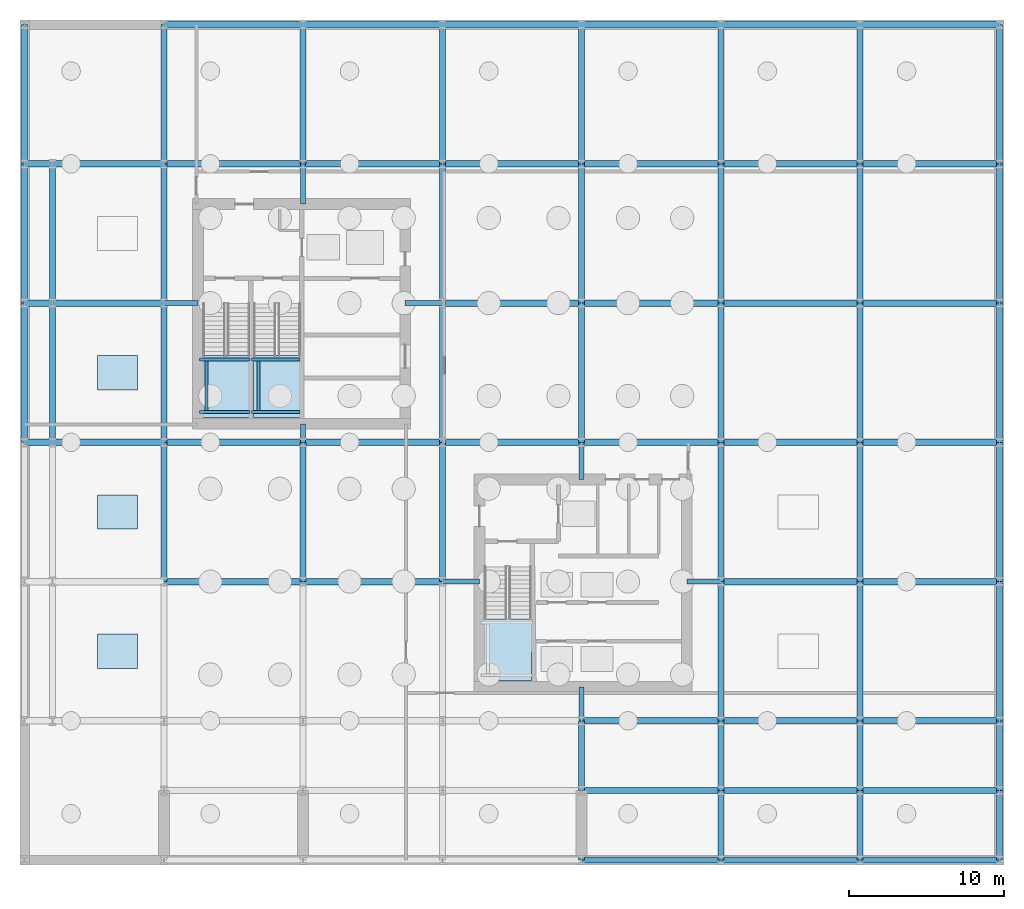
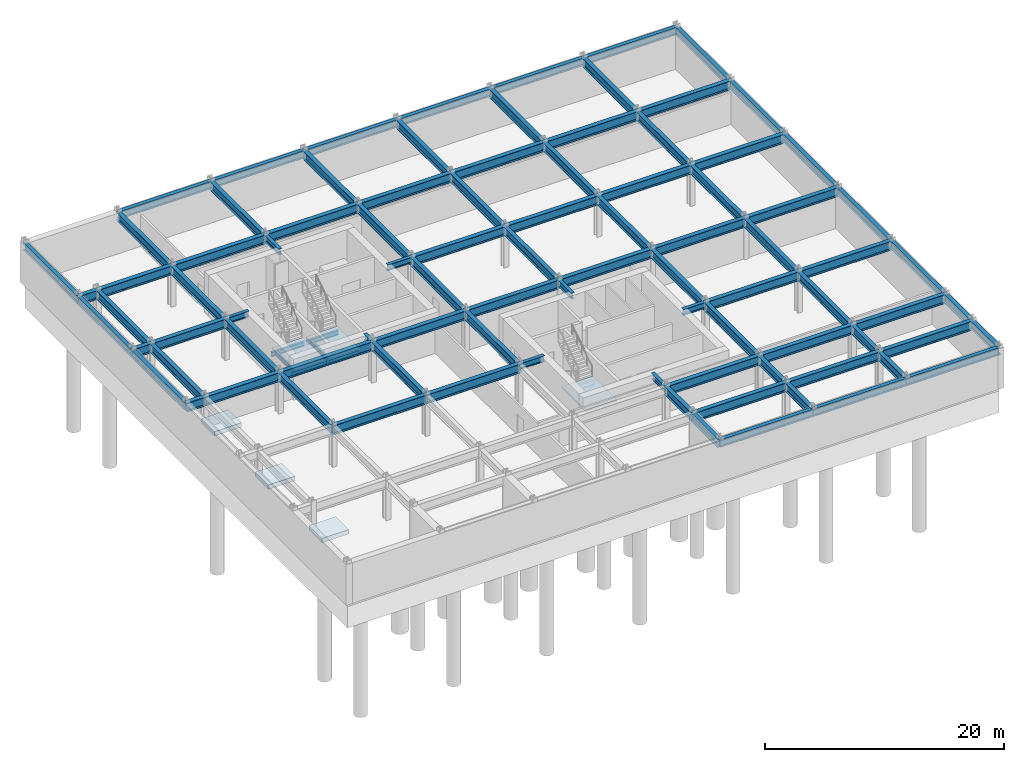
# One storey, part 2 of 7: 96 beams, 6 slabs, 3 elements without a shape of their own.
"""IFC4 building model written with IfcOpenShell, lengths in metres."""

from ifc_helpers import new_model, si_unit, direction, frame, origin, origin_2d, place, context, subcontext, project, spatial, polyline, i_section, outline, extrude, material, layer, layer_set, material_profile, profile_set, type_object, element, aggregate, save


model = new_model("IFC4")

# Units and contexts
model_context = context("Model", 3, precision=1e-05, world=origin(), true_north=direction((0.0, 1.0)))
body_context = subcontext(model_context, "Body", "Model", "MODEL_VIEW")
ifc_project = project(units=[si_unit("LENGTHUNIT", "METRE"), si_unit("AREAUNIT", "SQUARE_METRE"), si_unit("VOLUMEUNIT", "CUBIC_METRE"), si_unit("PLANEANGLEUNIT", "RADIAN"), si_unit("MASSUNIT", "GRAM", prefix="KILO")], contexts=[model_context])

# Site, building, storey
site_placement = place(None, origin())
site = spatial("IfcSite", under=ifc_project, at=site_placement, CompositionType="ELEMENT")
building_placement = place(site_placement, origin())
building = spatial("IfcBuilding", under=site, at=building_placement, Name="Solvaryn Broadcast Tower", CompositionType="ELEMENT")
storey_placement = place(building_placement, frame((0.0, 0.0, -9.0)))
storey = spatial("IfcBuildingStorey", under=building, at=storey_placement, Name="B02", CompositionType="ELEMENT", Elevation=-9.0)

# Beams
ifc_material_1 = material(Name="Steel ASTM A992 Grade 50", Category="steel")
ifc_material_profile_1 = material_profile(ifc_material_1, i_section(OverallWidth=0.323974609375, OverallDepth=0.611083984375, WebThickness=0.0126953125, FlangeThickness=0.01904296875, FilletRadius=0.014892578125, at=origin_2d()))
ifc_profile_set_1 = profile_set([ifc_material_profile_1], Name="Steel ASTM A992 Grade 50")
beam_type_1 = type_object("IfcBeamType", Name="BM-B1-W24X104", PredefinedType="BEAM", material=ifc_profile_set_1)
beam_1_placement = place(storey_placement, frame((9.0, 36.0, 3.844482421875), z_axis=(1.0, 0.0, 0.0), x_axis=(0.0, 1.0, 0.0)))
element("IfcBeam", 1, at=beam_1_placement, inside=storey, type_object=beam_type_1, Name="B02 Core Tie Beam CTW1", PredefinedType="BEAM", context=body_context, shape_type="SweptSolid", body=[
    extrude(i_section(OverallWidth=0.323974609375, OverallDepth=0.611083984375, WebThickness=0.0126953125, FlangeThickness=0.01904296875, FilletRadius=0.014892578125, at=origin_2d()), origin(), (0.0, 0.0, 1.0), 2.199951171875),
])
beam_2_placement = place(storey_placement, frame((24.60009765625, 36.0, 3.844482421875), z_axis=(1.0, 0.0, 0.0), x_axis=(0.0, 1.0, 0.0)))
element("IfcBeam", 2, at=beam_2_placement, inside=storey, type_object=beam_type_1, Name="B02 Core Tie Beam CTW2", PredefinedType="BEAM", context=body_context, shape_type="SweptSolid", body=[
    extrude(i_section(OverallWidth=0.323974609375, OverallDepth=0.611083984375, WebThickness=0.0126953125, FlangeThickness=0.01904296875, FilletRadius=0.014892578125, at=origin_2d()), origin(), (0.0, 0.0, 1.0), 2.39990234375),
])
beam_3_placement = place(storey_placement, frame((18.0, 42.39990234375, 3.844482421875), z_axis=(0.0, 1.0, 0.0), x_axis=(-1.0, 0.0, 0.0)))
element("IfcBeam", 3, at=beam_3_placement, inside=storey, type_object=beam_type_1, Name="B02 Core Tie Beam CTW3", PredefinedType="BEAM", context=body_context, shape_type="SweptSolid", body=[
    extrude(i_section(OverallWidth=0.323974609375, OverallDepth=0.611083984375, WebThickness=0.0126953125, FlangeThickness=0.01904296875, FilletRadius=0.014892578125, at=origin_2d()), origin(), (0.0, 0.0, 1.0), 2.60009765625),
])
beam_4_placement = place(storey_placement, frame((36.0, 9.0, 3.844482421875), z_axis=(0.0, 1.0, 0.0), x_axis=(-1.0, 0.0, 0.0)))
element("IfcBeam", 4, at=beam_4_placement, inside=storey, type_object=beam_type_1, Name="B02 Core Tie Beam CTE1", PredefinedType="BEAM", context=body_context, shape_type="SweptSolid", body=[
    extrude(i_section(OverallWidth=0.323974609375, OverallDepth=0.611083984375, WebThickness=0.0126953125, FlangeThickness=0.01904296875, FilletRadius=0.014892578125, at=origin_2d()), origin(), (0.0, 0.0, 1.0), 2.199951171875),
])
beam_5_placement = place(storey_placement, frame((36.0, 24.60009765625, 3.844482421875), z_axis=(0.0, 1.0, 0.0), x_axis=(-1.0, 0.0, 0.0)))
element("IfcBeam", 5, at=beam_5_placement, inside=storey, type_object=beam_type_1, Name="B02 Core Tie Beam CTE2", PredefinedType="BEAM", context=body_context, shape_type="SweptSolid", body=[
    extrude(i_section(OverallWidth=0.323974609375, OverallDepth=0.611083984375, WebThickness=0.0126953125, FlangeThickness=0.01904296875, FilletRadius=0.014892578125, at=origin_2d()), origin(), (0.0, 0.0, 1.0), 2.39990234375),
])
beam_6_placement = place(storey_placement, frame((42.800048828125, 18.0, 3.844482421875), z_axis=(1.0, 0.0, 0.0), x_axis=(0.0, 1.0, 0.0)))
element("IfcBeam", 6, at=beam_6_placement, inside=storey, type_object=beam_type_1, Name="B02 Core Tie Beam CTE3", PredefinedType="BEAM", context=body_context, shape_type="SweptSolid", body=[
    extrude(i_section(OverallWidth=0.323974609375, OverallDepth=0.611083984375, WebThickness=0.0126953125, FlangeThickness=0.01904296875, FilletRadius=0.014892578125, at=origin_2d()), origin(), (0.0, 0.0, 1.0), 2.199951171875),
])
beam_7_placement = place(storey_placement, frame((18.0, 27.0, 3.844482421875), z_axis=(0.0, 1.0, 0.0), x_axis=(-1.0, 0.0, 0.0)))
element("IfcBeam", 7, at=beam_7_placement, inside=storey, type_object=beam_type_1, Name="B02 Core Tie Beam CTW4", PredefinedType="BEAM", context=body_context, shape_type="SweptSolid", body=[
    extrude(i_section(OverallWidth=0.323974609375, OverallDepth=0.611083984375, WebThickness=0.0126953125, FlangeThickness=0.01904296875, FilletRadius=0.014892578125, at=origin_2d()), origin(), (0.0, 0.0, 1.0), 1.199951171875),
])
beam_8_placement = place(storey_placement, frame((27.0, 18.0, 3.844482421875), z_axis=(1.0, 0.0, 0.0), x_axis=(0.0, 1.0, 0.0)))
element("IfcBeam", 8, at=beam_8_placement, inside=storey, type_object=beam_type_1, Name="B02 Core Tie Beam CTE4", PredefinedType="BEAM", context=body_context, shape_type="SweptSolid", body=[
    extrude(i_section(OverallWidth=0.323974609375, OverallDepth=0.611083984375, WebThickness=0.0126953125, FlangeThickness=0.01904296875, FilletRadius=0.014892578125, at=origin_2d()), origin(), (0.0, 0.0, 1.0), 2.39990234375),
])
ifc_material_2 = material(Name="Steel ASTM A992 Grade 50", Category="steel")
ifc_material_profile_2 = material_profile(ifc_material_2, i_section(OverallWidth=0.18994140625, OverallDepth=0.45703125, WebThickness=0.009033203125, FlangeThickness=0.014404296875, FilletRadius=0.011962890625, at=origin_2d()))
ifc_profile_set_2 = profile_set([ifc_material_profile_2], Name="Steel ASTM A992 Grade 50")
beam_type_2 = type_object("IfcBeamType", Name="BM-B4-W18X50", PredefinedType="BEAM", material=ifc_profile_set_2)
for number, where, z_axis, x_axis, name in (
    (9, (11.300048828125, 28.949951171875, 1.821533203125), (1.0, 0.0, 0.0), (0.0, 1.0, 0.0), "B02 ST1 Landing Support Beam 1A"),
    (10, (11.300048828125, 32.35009765625, 1.821533203125), (1.0, 0.0, 0.0), (0.0, 1.0, 0.0), "B02 ST1 Landing Support Beam 1B"),
):
    element("IfcBeam", number, at=place(storey_placement, frame(where, z_axis=z_axis, x_axis=x_axis)), inside=storey, type_object=beam_type_2, Name=name, PredefinedType="BEAM", context=body_context, shape_type="SweptSolid", body=[
        extrude(i_section(OverallWidth=0.18994140625, OverallDepth=0.45703125, WebThickness=0.009033203125, FlangeThickness=0.014404296875, FilletRadius=0.011962890625, at=origin_2d()), origin(), (0.0, 0.0, 1.0), 3.280029296875),
    ])
beam_9_placement = place(storey_placement, frame((11.75, 28.949951171875, 1.821533203125), z_axis=(0.0, 1.0, 0.0), x_axis=(-1.0, 0.0, 0.0)))
element("IfcBeam", 11, at=beam_9_placement, inside=storey, type_object=beam_type_2, Name="B02 ST1 Landing Cross Stringer 1C", PredefinedType="BEAM", context=body_context, shape_type="SweptSolid", body=[
    extrude(i_section(OverallWidth=0.18994140625, OverallDepth=0.45703125, WebThickness=0.009033203125, FlangeThickness=0.014404296875, FilletRadius=0.011962890625, at=origin_2d()), origin(), (0.0, 0.0, 1.0), 3.400146484375),
])
for number, where, z_axis, x_axis, name in (
    (12, (14.659912109375, 28.949951171875, 1.821533203125), (1.0, 0.0, 0.0), (0.0, 1.0, 0.0), "B02 ST2 Landing Support Beam 1A"),
    (13, (14.659912109375, 32.35009765625, 1.821533203125), (1.0, 0.0, 0.0), (0.0, 1.0, 0.0), "B02 ST2 Landing Support Beam 1B"),
):
    element("IfcBeam", number, at=place(storey_placement, frame(where, z_axis=z_axis, x_axis=x_axis)), inside=storey, type_object=beam_type_2, Name=name, PredefinedType="BEAM", context=body_context, shape_type="SweptSolid", body=[
        extrude(i_section(OverallWidth=0.18994140625, OverallDepth=0.45703125, WebThickness=0.009033203125, FlangeThickness=0.014404296875, FilletRadius=0.011962890625, at=origin_2d()), origin(), (0.0, 0.0, 1.0), 3.14013671875),
    ])
beam_10_placement = place(storey_placement, frame((15.110107421875, 28.949951171875, 1.821533203125), z_axis=(0.0, 1.0, 0.0), x_axis=(-1.0, 0.0, 0.0)))
element("IfcBeam", 14, at=beam_10_placement, inside=storey, type_object=beam_type_2, Name="B02 ST2 Landing Cross Stringer 1C", PredefinedType="BEAM", context=body_context, shape_type="SweptSolid", body=[
    extrude(i_section(OverallWidth=0.18994140625, OverallDepth=0.45703125, WebThickness=0.009033203125, FlangeThickness=0.014404296875, FilletRadius=0.011962890625, at=origin_2d()), origin(), (0.0, 0.0, 1.0), 3.400146484375),
])
ifc_material_3 = material(Name="Steel ASTM A992 Grade 50", Category="steel")
ifc_material_profile_3 = material_profile(ifc_material_3, i_section(OverallWidth=0.41796875, OverallDepth=0.927001953125, WebThickness=0.019287109375, FlangeThickness=0.031982421875, FilletRadius=0.02392578125, at=origin_2d()))
ifc_profile_set_3 = profile_set([ifc_material_profile_3], Name="Steel ASTM A992 Grade 50")
beam_type_3 = type_object("IfcBeamType", Name="BM-G2-W36X231", PredefinedType="BEAM", material=ifc_profile_set_3)
for number, where, z_axis, x_axis, name in (
    (15, (36.0, 4.5, 3.6865234375), (1.0, 0.0, 0.0), (0.0, 1.0, 0.0), "B02 Primary Beam X (36-45 @ Y=4)"),
    (16, (45.0, 4.5, 3.6865234375), (1.0, 0.0, 0.0), (0.0, 1.0, 0.0), "B02 Primary Beam X (45-54 @ Y=4)"),
    (17, (54.0, 4.5, 3.6865234375), (1.0, 0.0, 0.0), (0.0, 1.0, 0.0), "B02 Primary Beam X (54-63 @ Y=4)"),
    (18, (36.0, 9.0, 3.6865234375), (1.0, 0.0, 0.0), (0.0, 1.0, 0.0), "B02 Primary Beam X (36-45 @ Y=9)"),
    (19, (45.0, 9.0, 3.6865234375), (1.0, 0.0, 0.0), (0.0, 1.0, 0.0), "B02 Primary Beam X (45-54 @ Y=9)"),
    (20, (54.0, 9.0, 3.6865234375), (1.0, 0.0, 0.0), (0.0, 1.0, 0.0), "B02 Primary Beam X (54-63 @ Y=9)"),
    (21, (9.0, 18.0, 3.6865234375), (1.0, 0.0, 0.0), (0.0, 1.0, 0.0), "B02 Primary Beam X (9-18 @ Y=18)"),
    (22, (18.0, 18.0, 3.6865234375), (1.0, 0.0, 0.0), (0.0, 1.0, 0.0), "B02 Primary Beam X (18-27 @ Y=18)"),
    (23, (45.0, 18.0, 3.6865234375), (1.0, 0.0, 0.0), (0.0, 1.0, 0.0), "B02 Primary Beam X (45-54 @ Y=18)"),
    (24, (54.0, 18.0, 3.6865234375), (1.0, 0.0, 0.0), (0.0, 1.0, 0.0), "B02 Primary Beam X (54-63 @ Y=18)"),
):
    element("IfcBeam", number, at=place(storey_placement, frame(where, z_axis=z_axis, x_axis=x_axis)), inside=storey, type_object=beam_type_3, Name=name, PredefinedType="BEAM", context=body_context, shape_type="SweptSolid", body=[
        extrude(i_section(OverallWidth=0.41796875, OverallDepth=0.927001953125, WebThickness=0.019287109375, FlangeThickness=0.031982421875, FilletRadius=0.02392578125, at=origin_2d()), origin(), (0.0, 0.0, 1.0), 9.0),
    ])
beam_11_placement = place(storey_placement, frame((0.0, 27.0, 3.6865234375), z_axis=(1.0, 0.0, 0.0), x_axis=(0.0, 1.0, 0.0)))
element("IfcBeam", 25, at=beam_11_placement, inside=storey, type_object=beam_type_3, Name="B02 Primary Beam X (0-2 @ Y=27)", PredefinedType="BEAM", context=body_context, shape_type="SweptSolid", body=[
    extrude(i_section(OverallWidth=0.41796875, OverallDepth=0.927001953125, WebThickness=0.019287109375, FlangeThickness=0.031982421875, FilletRadius=0.02392578125, at=origin_2d()), origin(), (0.0, 0.0, 1.0), 1.800048828125),
])
beam_12_placement = place(storey_placement, frame((1.800048828125, 27.0, 3.6865234375), z_axis=(1.0, 0.0, 0.0), x_axis=(0.0, 1.0, 0.0)))
element("IfcBeam", 26, at=beam_12_placement, inside=storey, type_object=beam_type_3, Name="B02 Primary Beam X (2-9 @ Y=27)", PredefinedType="BEAM", context=body_context, shape_type="SweptSolid", body=[
    extrude(i_section(OverallWidth=0.41796875, OverallDepth=0.927001953125, WebThickness=0.019287109375, FlangeThickness=0.031982421875, FilletRadius=0.02392578125, at=origin_2d()), origin(), (0.0, 0.0, 1.0), 7.199951171875),
])
for number, where, z_axis, x_axis, name in (
    (27, (9.0, 27.0, 3.6865234375), (1.0, 0.0, 0.0), (0.0, 1.0, 0.0), "B02 Primary Beam X (9-18 @ Y=27)"),
    (28, (18.0, 27.0, 3.6865234375), (1.0, 0.0, 0.0), (0.0, 1.0, 0.0), "B02 Primary Beam X (18-27 @ Y=27)"),
    (29, (27.0, 27.0, 3.6865234375), (1.0, 0.0, 0.0), (0.0, 1.0, 0.0), "B02 Primary Beam X (27-36 @ Y=27)"),
    (30, (36.0, 27.0, 3.6865234375), (1.0, 0.0, 0.0), (0.0, 1.0, 0.0), "B02 Primary Beam X (36-45 @ Y=27)"),
    (31, (45.0, 27.0, 3.6865234375), (1.0, 0.0, 0.0), (0.0, 1.0, 0.0), "B02 Primary Beam X (45-54 @ Y=27)"),
    (32, (54.0, 27.0, 3.6865234375), (1.0, 0.0, 0.0), (0.0, 1.0, 0.0), "B02 Primary Beam X (54-63 @ Y=27)"),
):
    element("IfcBeam", number, at=place(storey_placement, frame(where, z_axis=z_axis, x_axis=x_axis)), inside=storey, type_object=beam_type_3, Name=name, PredefinedType="BEAM", context=body_context, shape_type="SweptSolid", body=[
        extrude(i_section(OverallWidth=0.41796875, OverallDepth=0.927001953125, WebThickness=0.019287109375, FlangeThickness=0.031982421875, FilletRadius=0.02392578125, at=origin_2d()), origin(), (0.0, 0.0, 1.0), 9.0),
    ])
beam_13_placement = place(storey_placement, frame((0.0, 36.0, 3.6865234375), z_axis=(1.0, 0.0, 0.0), x_axis=(0.0, 1.0, 0.0)))
element("IfcBeam", 33, at=beam_13_placement, inside=storey, type_object=beam_type_3, Name="B02 Primary Beam X (0-2 @ Y=36)", PredefinedType="BEAM", context=body_context, shape_type="SweptSolid", body=[
    extrude(i_section(OverallWidth=0.41796875, OverallDepth=0.927001953125, WebThickness=0.019287109375, FlangeThickness=0.031982421875, FilletRadius=0.02392578125, at=origin_2d()), origin(), (0.0, 0.0, 1.0), 1.800048828125),
])
beam_14_placement = place(storey_placement, frame((1.800048828125, 36.0, 3.6865234375), z_axis=(1.0, 0.0, 0.0), x_axis=(0.0, 1.0, 0.0)))
element("IfcBeam", 34, at=beam_14_placement, inside=storey, type_object=beam_type_3, Name="B02 Primary Beam X (2-9 @ Y=36)", PredefinedType="BEAM", context=body_context, shape_type="SweptSolid", body=[
    extrude(i_section(OverallWidth=0.41796875, OverallDepth=0.927001953125, WebThickness=0.019287109375, FlangeThickness=0.031982421875, FilletRadius=0.02392578125, at=origin_2d()), origin(), (0.0, 0.0, 1.0), 7.199951171875),
])
for number, where, z_axis, x_axis, name in (
    (35, (27.0, 36.0, 3.6865234375), (1.0, 0.0, 0.0), (0.0, 1.0, 0.0), "B02 Primary Beam X (27-36 @ Y=36)"),
    (36, (36.0, 36.0, 3.6865234375), (1.0, 0.0, 0.0), (0.0, 1.0, 0.0), "B02 Primary Beam X (36-45 @ Y=36)"),
    (37, (45.0, 36.0, 3.6865234375), (1.0, 0.0, 0.0), (0.0, 1.0, 0.0), "B02 Primary Beam X (45-54 @ Y=36)"),
    (38, (54.0, 36.0, 3.6865234375), (1.0, 0.0, 0.0), (0.0, 1.0, 0.0), "B02 Primary Beam X (54-63 @ Y=36)"),
):
    element("IfcBeam", number, at=place(storey_placement, frame(where, z_axis=z_axis, x_axis=x_axis)), inside=storey, type_object=beam_type_3, Name=name, PredefinedType="BEAM", context=body_context, shape_type="SweptSolid", body=[
        extrude(i_section(OverallWidth=0.41796875, OverallDepth=0.927001953125, WebThickness=0.019287109375, FlangeThickness=0.031982421875, FilletRadius=0.02392578125, at=origin_2d()), origin(), (0.0, 0.0, 1.0), 9.0),
    ])
beam_15_placement = place(storey_placement, frame((0.0, 45.0, 3.6865234375), z_axis=(1.0, 0.0, 0.0), x_axis=(0.0, 1.0, 0.0)))
element("IfcBeam", 39, at=beam_15_placement, inside=storey, type_object=beam_type_3, Name="B02 Primary Beam X (0-2 @ Y=45)", PredefinedType="BEAM", context=body_context, shape_type="SweptSolid", body=[
    extrude(i_section(OverallWidth=0.41796875, OverallDepth=0.927001953125, WebThickness=0.019287109375, FlangeThickness=0.031982421875, FilletRadius=0.02392578125, at=origin_2d()), origin(), (0.0, 0.0, 1.0), 1.800048828125),
])
beam_16_placement = place(storey_placement, frame((1.800048828125, 45.0, 3.6865234375), z_axis=(1.0, 0.0, 0.0), x_axis=(0.0, 1.0, 0.0)))
element("IfcBeam", 40, at=beam_16_placement, inside=storey, type_object=beam_type_3, Name="B02 Primary Beam X (2-9 @ Y=45)", PredefinedType="BEAM", context=body_context, shape_type="SweptSolid", body=[
    extrude(i_section(OverallWidth=0.41796875, OverallDepth=0.927001953125, WebThickness=0.019287109375, FlangeThickness=0.031982421875, FilletRadius=0.02392578125, at=origin_2d()), origin(), (0.0, 0.0, 1.0), 7.199951171875),
])
for number, where, z_axis, x_axis, name in (
    (41, (9.0, 45.0, 3.6865234375), (1.0, 0.0, 0.0), (0.0, 1.0, 0.0), "B02 Primary Beam X (9-18 @ Y=45)"),
    (42, (18.0, 45.0, 3.6865234375), (1.0, 0.0, 0.0), (0.0, 1.0, 0.0), "B02 Primary Beam X (18-27 @ Y=45)"),
    (43, (27.0, 45.0, 3.6865234375), (1.0, 0.0, 0.0), (0.0, 1.0, 0.0), "B02 Primary Beam X (27-36 @ Y=45)"),
    (44, (36.0, 45.0, 3.6865234375), (1.0, 0.0, 0.0), (0.0, 1.0, 0.0), "B02 Primary Beam X (36-45 @ Y=45)"),
    (45, (45.0, 45.0, 3.6865234375), (1.0, 0.0, 0.0), (0.0, 1.0, 0.0), "B02 Primary Beam X (45-54 @ Y=45)"),
    (46, (54.0, 45.0, 3.6865234375), (1.0, 0.0, 0.0), (0.0, 1.0, 0.0), "B02 Primary Beam X (54-63 @ Y=45)"),
):
    element("IfcBeam", number, at=place(storey_placement, frame(where, z_axis=z_axis, x_axis=x_axis)), inside=storey, type_object=beam_type_3, Name=name, PredefinedType="BEAM", context=body_context, shape_type="SweptSolid", body=[
        extrude(i_section(OverallWidth=0.41796875, OverallDepth=0.927001953125, WebThickness=0.019287109375, FlangeThickness=0.031982421875, FilletRadius=0.02392578125, at=origin_2d()), origin(), (0.0, 0.0, 1.0), 9.0),
    ])
ifc_material_4 = material(Name="Steel ASTM A992 Grade 50", Category="steel")
ifc_material_profile_4 = material_profile(ifc_material_4, i_section(OverallWidth=0.39990234375, OverallDepth=0.85498046875, WebThickness=0.018310546875, FlangeThickness=0.029296875, FilletRadius=0.02001953125, at=origin_2d()))
ifc_profile_set_4 = profile_set([ifc_material_profile_4], Name="Steel ASTM A992 Grade 50")
beam_type_4 = type_object("IfcBeamType", Name="BM-G3-W33X201", PredefinedType="BEAM", material=ifc_profile_set_4)
for number, where, z_axis, x_axis, name in (
    (47, (1.800048828125, 27.0, 3.722412109375), (0.0, 1.0, 0.0), (-1.0, 0.0, 0.0), "B02 Primary Beam Y (27-36 @ X=2)"),
    (48, (1.800048828125, 36.0, 3.722412109375), (0.0, 1.0, 0.0), (-1.0, 0.0, 0.0), "B02 Primary Beam Y (36-45 @ X=2)"),
    (49, (9.0, 18.0, 3.722412109375), (0.0, 1.0, 0.0), (-1.0, 0.0, 0.0), "B02 Primary Beam Y (18-27 @ X=9)"),
    (50, (9.0, 27.0, 3.722412109375), (0.0, 1.0, 0.0), (-1.0, 0.0, 0.0), "B02 Primary Beam Y (27-36 @ X=9)"),
    (51, (9.0, 36.0, 3.722412109375), (0.0, 1.0, 0.0), (-1.0, 0.0, 0.0), "B02 Primary Beam Y (36-45 @ X=9)"),
    (52, (9.0, 45.0, 3.722412109375), (0.0, 1.0, 0.0), (-1.0, 0.0, 0.0), "B02 Primary Beam Y (45-54 @ X=9)"),
    (53, (18.0, 18.0, 3.722412109375), (0.0, 1.0, 0.0), (-1.0, 0.0, 0.0), "B02 Primary Beam Y (18-27 @ X=18)"),
    (54, (18.0, 45.0, 3.722412109375), (0.0, 1.0, 0.0), (-1.0, 0.0, 0.0), "B02 Primary Beam Y (45-54 @ X=18)"),
    (55, (27.0, 18.0, 3.722412109375), (0.0, 1.0, 0.0), (-1.0, 0.0, 0.0), "B02 Primary Beam Y (18-27 @ X=27)"),
    (56, (27.0, 27.0, 3.722412109375), (0.0, 1.0, 0.0), (-1.0, 0.0, 0.0), "B02 Primary Beam Y (27-36 @ X=27)"),
    (57, (27.0, 36.0, 3.722412109375), (0.0, 1.0, 0.0), (-1.0, 0.0, 0.0), "B02 Primary Beam Y (36-45 @ X=27)"),
    (58, (27.0, 45.0, 3.722412109375), (0.0, 1.0, 0.0), (-1.0, 0.0, 0.0), "B02 Primary Beam Y (45-54 @ X=27)"),
):
    element("IfcBeam", number, at=place(storey_placement, frame(where, z_axis=z_axis, x_axis=x_axis)), inside=storey, type_object=beam_type_4, Name=name, PredefinedType="BEAM", context=body_context, shape_type="SweptSolid", body=[
        extrude(i_section(OverallWidth=0.39990234375, OverallDepth=0.85498046875, WebThickness=0.018310546875, FlangeThickness=0.029296875, FilletRadius=0.02001953125, at=origin_2d()), origin(), (0.0, 0.0, 1.0), 9.0),
    ])
for number, where, z_axis, x_axis, name in (
    (59, (36.0, 0.0, 3.722412109375), (0.0, 1.0, 0.0), (-1.0, 0.0, 0.0), "B02 Primary Beam Y (0-4 @ X=36)"),
    (60, (36.0, 4.5, 3.722412109375), (0.0, 1.0, 0.0), (-1.0, 0.0, 0.0), "B02 Primary Beam Y (4-9 @ X=36)"),
):
    element("IfcBeam", number, at=place(storey_placement, frame(where, z_axis=z_axis, x_axis=x_axis)), inside=storey, type_object=beam_type_4, Name=name, PredefinedType="BEAM", context=body_context, shape_type="SweptSolid", body=[
        extrude(i_section(OverallWidth=0.39990234375, OverallDepth=0.85498046875, WebThickness=0.018310546875, FlangeThickness=0.029296875, FilletRadius=0.02001953125, at=origin_2d()), origin(), (0.0, 0.0, 1.0), 4.5),
    ])
for number, where, z_axis, x_axis, name in (
    (61, (36.0, 27.0, 3.722412109375), (0.0, 1.0, 0.0), (-1.0, 0.0, 0.0), "B02 Primary Beam Y (27-36 @ X=36)"),
    (62, (36.0, 36.0, 3.722412109375), (0.0, 1.0, 0.0), (-1.0, 0.0, 0.0), "B02 Primary Beam Y (36-45 @ X=36)"),
    (63, (36.0, 45.0, 3.722412109375), (0.0, 1.0, 0.0), (-1.0, 0.0, 0.0), "B02 Primary Beam Y (45-54 @ X=36)"),
):
    element("IfcBeam", number, at=place(storey_placement, frame(where, z_axis=z_axis, x_axis=x_axis)), inside=storey, type_object=beam_type_4, Name=name, PredefinedType="BEAM", context=body_context, shape_type="SweptSolid", body=[
        extrude(i_section(OverallWidth=0.39990234375, OverallDepth=0.85498046875, WebThickness=0.018310546875, FlangeThickness=0.029296875, FilletRadius=0.02001953125, at=origin_2d()), origin(), (0.0, 0.0, 1.0), 9.0),
    ])
for number, where, z_axis, x_axis, name in (
    (64, (45.0, 0.0, 3.722412109375), (0.0, 1.0, 0.0), (-1.0, 0.0, 0.0), "B02 Primary Beam Y (0-4 @ X=45)"),
    (65, (45.0, 4.5, 3.722412109375), (0.0, 1.0, 0.0), (-1.0, 0.0, 0.0), "B02 Primary Beam Y (4-9 @ X=45)"),
):
    element("IfcBeam", number, at=place(storey_placement, frame(where, z_axis=z_axis, x_axis=x_axis)), inside=storey, type_object=beam_type_4, Name=name, PredefinedType="BEAM", context=body_context, shape_type="SweptSolid", body=[
        extrude(i_section(OverallWidth=0.39990234375, OverallDepth=0.85498046875, WebThickness=0.018310546875, FlangeThickness=0.029296875, FilletRadius=0.02001953125, at=origin_2d()), origin(), (0.0, 0.0, 1.0), 4.5),
    ])
for number, where, z_axis, x_axis, name in (
    (66, (45.0, 9.0, 3.722412109375), (0.0, 1.0, 0.0), (-1.0, 0.0, 0.0), "B02 Primary Beam Y (9-18 @ X=45)"),
    (67, (45.0, 18.0, 3.722412109375), (0.0, 1.0, 0.0), (-1.0, 0.0, 0.0), "B02 Primary Beam Y (18-27 @ X=45)"),
    (68, (45.0, 27.0, 3.722412109375), (0.0, 1.0, 0.0), (-1.0, 0.0, 0.0), "B02 Primary Beam Y (27-36 @ X=45)"),
    (69, (45.0, 36.0, 3.722412109375), (0.0, 1.0, 0.0), (-1.0, 0.0, 0.0), "B02 Primary Beam Y (36-45 @ X=45)"),
    (70, (45.0, 45.0, 3.722412109375), (0.0, 1.0, 0.0), (-1.0, 0.0, 0.0), "B02 Primary Beam Y (45-54 @ X=45)"),
):
    element("IfcBeam", number, at=place(storey_placement, frame(where, z_axis=z_axis, x_axis=x_axis)), inside=storey, type_object=beam_type_4, Name=name, PredefinedType="BEAM", context=body_context, shape_type="SweptSolid", body=[
        extrude(i_section(OverallWidth=0.39990234375, OverallDepth=0.85498046875, WebThickness=0.018310546875, FlangeThickness=0.029296875, FilletRadius=0.02001953125, at=origin_2d()), origin(), (0.0, 0.0, 1.0), 9.0),
    ])
for number, where, z_axis, x_axis, name in (
    (71, (54.0, 0.0, 3.722412109375), (0.0, 1.0, 0.0), (-1.0, 0.0, 0.0), "B02 Primary Beam Y (0-4 @ X=54)"),
    (72, (54.0, 4.5, 3.722412109375), (0.0, 1.0, 0.0), (-1.0, 0.0, 0.0), "B02 Primary Beam Y (4-9 @ X=54)"),
):
    element("IfcBeam", number, at=place(storey_placement, frame(where, z_axis=z_axis, x_axis=x_axis)), inside=storey, type_object=beam_type_4, Name=name, PredefinedType="BEAM", context=body_context, shape_type="SweptSolid", body=[
        extrude(i_section(OverallWidth=0.39990234375, OverallDepth=0.85498046875, WebThickness=0.018310546875, FlangeThickness=0.029296875, FilletRadius=0.02001953125, at=origin_2d()), origin(), (0.0, 0.0, 1.0), 4.5),
    ])
for number, where, z_axis, x_axis, name in (
    (73, (54.0, 9.0, 3.722412109375), (0.0, 1.0, 0.0), (-1.0, 0.0, 0.0), "B02 Primary Beam Y (9-18 @ X=54)"),
    (74, (54.0, 18.0, 3.722412109375), (0.0, 1.0, 0.0), (-1.0, 0.0, 0.0), "B02 Primary Beam Y (18-27 @ X=54)"),
    (75, (54.0, 27.0, 3.722412109375), (0.0, 1.0, 0.0), (-1.0, 0.0, 0.0), "B02 Primary Beam Y (27-36 @ X=54)"),
    (76, (54.0, 36.0, 3.722412109375), (0.0, 1.0, 0.0), (-1.0, 0.0, 0.0), "B02 Primary Beam Y (36-45 @ X=54)"),
    (77, (54.0, 45.0, 3.722412109375), (0.0, 1.0, 0.0), (-1.0, 0.0, 0.0), "B02 Primary Beam Y (45-54 @ X=54)"),
):
    element("IfcBeam", number, at=place(storey_placement, frame(where, z_axis=z_axis, x_axis=x_axis)), inside=storey, type_object=beam_type_4, Name=name, PredefinedType="BEAM", context=body_context, shape_type="SweptSolid", body=[
        extrude(i_section(OverallWidth=0.39990234375, OverallDepth=0.85498046875, WebThickness=0.018310546875, FlangeThickness=0.029296875, FilletRadius=0.02001953125, at=origin_2d()), origin(), (0.0, 0.0, 1.0), 9.0),
    ])
for number, where, z_axis, x_axis, name in (
    (78, (63.0, 0.0, 3.722412109375), (0.0, 1.0, 0.0), (-1.0, 0.0, 0.0), "B02 Primary Beam Y (0-4 @ X=63)"),
    (79, (63.0, 4.5, 3.722412109375), (0.0, 1.0, 0.0), (-1.0, 0.0, 0.0), "B02 Primary Beam Y (4-9 @ X=63)"),
):
    element("IfcBeam", number, at=place(storey_placement, frame(where, z_axis=z_axis, x_axis=x_axis)), inside=storey, type_object=beam_type_4, Name=name, PredefinedType="BEAM", context=body_context, shape_type="SweptSolid", body=[
        extrude(i_section(OverallWidth=0.39990234375, OverallDepth=0.85498046875, WebThickness=0.018310546875, FlangeThickness=0.029296875, FilletRadius=0.02001953125, at=origin_2d()), origin(), (0.0, 0.0, 1.0), 4.5),
    ])
ifc_material_5 = material(Name="Steel ASTM A992 Grade 50", Category="steel")
ifc_material_profile_5 = material_profile(ifc_material_5, i_section(OverallWidth=0.381103515625, OverallDepth=0.77294921875, WebThickness=0.0166015625, FlangeThickness=0.027099609375, FilletRadius=0.01806640625, at=origin_2d()))
ifc_profile_set_5 = profile_set([ifc_material_profile_5], Name="Steel ASTM A992 Grade 50")
beam_type_5 = type_object("IfcBeamType", Name="BM-SP1-W30X173", PredefinedType="USERDEFINED", material=ifc_profile_set_5)
for number, where, z_axis, x_axis, name in (
    (80, (36.0, 0.0, 3.763427734375), (1.0, 0.0, 0.0), (0.0, 1.0, 0.0), "B02 Spandrel Beam X (36-45 @ Y=0)"),
    (81, (45.0, 0.0, 3.763427734375), (1.0, 0.0, 0.0), (0.0, 1.0, 0.0), "B02 Spandrel Beam X (45-54 @ Y=0)"),
    (82, (54.0, 0.0, 3.763427734375), (1.0, 0.0, 0.0), (0.0, 1.0, 0.0), "B02 Spandrel Beam X (54-63 @ Y=0)"),
    (83, (9.0, 54.0, 3.763427734375), (1.0, 0.0, 0.0), (0.0, 1.0, 0.0), "B02 Spandrel Beam X (9-18 @ Y=54)"),
    (84, (18.0, 54.0, 3.763427734375), (1.0, 0.0, 0.0), (0.0, 1.0, 0.0), "B02 Spandrel Beam X (18-27 @ Y=54)"),
    (85, (27.0, 54.0, 3.763427734375), (1.0, 0.0, 0.0), (0.0, 1.0, 0.0), "B02 Spandrel Beam X (27-36 @ Y=54)"),
    (86, (36.0, 54.0, 3.763427734375), (1.0, 0.0, 0.0), (0.0, 1.0, 0.0), "B02 Spandrel Beam X (36-45 @ Y=54)"),
    (87, (45.0, 54.0, 3.763427734375), (1.0, 0.0, 0.0), (0.0, 1.0, 0.0), "B02 Spandrel Beam X (45-54 @ Y=54)"),
    (88, (54.0, 54.0, 3.763427734375), (1.0, 0.0, 0.0), (0.0, 1.0, 0.0), "B02 Spandrel Beam X (54-63 @ Y=54)"),
    (89, (0.0, 27.0, 3.763427734375), (0.0, 1.0, 0.0), (-1.0, 0.0, 0.0), "B02 Spandrel Beam Y (27-36 @ X=0)"),
    (90, (0.0, 36.0, 3.763427734375), (0.0, 1.0, 0.0), (-1.0, 0.0, 0.0), "B02 Spandrel Beam Y (36-45 @ X=0)"),
    (91, (0.0, 45.0, 3.763427734375), (0.0, 1.0, 0.0), (-1.0, 0.0, 0.0), "B02 Spandrel Beam Y (45-54 @ X=0)"),
    (92, (63.0, 9.0, 3.763427734375), (0.0, 1.0, 0.0), (-1.0, 0.0, 0.0), "B02 Spandrel Beam Y (9-18 @ X=63)"),
    (93, (63.0, 18.0, 3.763427734375), (0.0, 1.0, 0.0), (-1.0, 0.0, 0.0), "B02 Spandrel Beam Y (18-27 @ X=63)"),
    (94, (63.0, 27.0, 3.763427734375), (0.0, 1.0, 0.0), (-1.0, 0.0, 0.0), "B02 Spandrel Beam Y (27-36 @ X=63)"),
    (95, (63.0, 36.0, 3.763427734375), (0.0, 1.0, 0.0), (-1.0, 0.0, 0.0), "B02 Spandrel Beam Y (36-45 @ X=63)"),
    (96, (63.0, 45.0, 3.763427734375), (0.0, 1.0, 0.0), (-1.0, 0.0, 0.0), "B02 Spandrel Beam Y (45-54 @ X=63)"),
):
    element("IfcBeam", number, at=place(storey_placement, frame(where, z_axis=z_axis, x_axis=x_axis)), inside=storey, type_object=beam_type_5, Name=name, ObjectType="SPANDREL", PredefinedType="USERDEFINED", context=body_context, shape_type="SweptSolid", body=[
        extrude(i_section(OverallWidth=0.381103515625, OverallDepth=0.77294921875, WebThickness=0.0166015625, FlangeThickness=0.027099609375, FilletRadius=0.01806640625, at=origin_2d()), origin(), (0.0, 0.0, 1.0), 9.0),
    ])

# Stair, slab
ifc_material_6 = material(Name="Concrete f'c 60 MPa", Category="concrete")
stair_type = type_object("IfcStairType", Name="ST-CORE", PredefinedType="HALF_TURN_STAIR", material=ifc_material_6)
stair_1_placement = place(storey_placement, origin())
stair_1 = element("IfcStair", 97, at=stair_1_placement, inside=storey, type_object=stair_type, Name="B02 ST1", PredefinedType="HALF_TURN_STAIR")
ifc_material_7 = material(Name="Concrete f'c 60 MPa", Category="concrete")
ifc_layer_1 = layer(ifc_material_7, 0.199951171875)
ifc_layer_set_1 = layer_set([ifc_layer_1], Name="SL-LANDING-200")
slab_type_1 = type_object("IfcSlabType", Name="SL-LANDING-200", PredefinedType="LANDING", material=ifc_layer_set_1)
slab_1_placement = place(storey_placement, frame((0.0, 0.0, 2.050048828125)))
slab_1 = element("IfcSlab", 98, at=slab_1_placement, type_object=slab_type_1, Name="ST1 landing 1", PredefinedType="LANDING", context=body_context, shape_type="SweptSolid", body=[
    extrude(outline(polyline([(11.52001953125, 32.60009765625), (11.52001953125, 28.60009765625), (14.550048828125, 28.60009765625), (14.550048828125, 32.60009765625), (11.52001953125, 32.60009765625)])), origin(), (0.0, 0.0, 1.0), 0.199951171875),
])
aggregate(stair_1, [slab_1])

stair_2_placement = place(storey_placement, origin())
stair_2 = element("IfcStair", 99, at=stair_2_placement, inside=storey, type_object=stair_type, Name="B02 ST2", PredefinedType="HALF_TURN_STAIR")
slab_2_placement = place(storey_placement, frame((0.0, 0.0, 2.050048828125)))
slab_2 = element("IfcSlab", 100, at=slab_2_placement, type_object=slab_type_1, Name="ST2 landing 1", PredefinedType="LANDING", context=body_context, shape_type="SweptSolid", body=[
    extrude(outline(polyline([(14.800048828125, 32.60009765625), (14.800048828125, 28.60009765625), (17.830078125, 28.60009765625), (17.830078125, 32.60009765625), (14.800048828125, 32.60009765625)])), origin(), (0.0, 0.0, 1.0), 0.199951171875),
])
aggregate(stair_2, [slab_2])

stair_3_placement = place(storey_placement, origin())
stair_3 = element("IfcStair", 101, at=stair_3_placement, inside=storey, type_object=stair_type, Name="B02 ST3", PredefinedType="HALF_TURN_STAIR")
slab_3_placement = place(storey_placement, frame((0.0, 0.0, 2.050048828125)))
slab_3 = element("IfcSlab", 102, at=slab_3_placement, type_object=slab_type_1, Name="ST3 landing 1", PredefinedType="LANDING", context=body_context, shape_type="SweptSolid", body=[
    extrude(outline(polyline([(29.719970703125, 15.60009765625), (29.719970703125, 11.60009765625), (32.75, 11.60009765625), (32.75, 15.60009765625), (29.719970703125, 15.60009765625)])), origin(), (0.0, 0.0, 1.0), 0.199951171875),
])
aggregate(stair_3, [slab_3])

# Slabs
ifc_material_8 = material(Name="Concrete f'c 60 MPa", Category="concrete")
ifc_layer_2 = layer(ifc_material_8, 0.449951171875)
ifc_layer_set_2 = layer_set([ifc_layer_2], Name="SL-PIT-450")
slab_type_2 = type_object("IfcSlabType", Name="SL-PIT-450", PredefinedType="BASESLAB", material=ifc_layer_set_2)
slab_4_placement = place(storey_placement, frame((0.0, 0.0, -3.050048828125)))
element("IfcSlab", 103, at=slab_4_placement, inside=storey, type_object=slab_type_2, Name="B02 Sump Pit Base Slab 1", PredefinedType="BASESLAB", context=body_context, shape_type="SweptSolid", body=[
    extrude(outline(polyline([(4.699951171875, 12.39990234375), (7.300048828125, 12.39990234375), (7.300048828125, 14.60009765625), (4.699951171875, 14.60009765625), (4.699951171875, 12.39990234375)])), origin(), (0.0, 0.0, 1.0), 0.449951171875),
])
slab_5_placement = place(storey_placement, frame((0.0, 0.0, -3.050048828125)))
element("IfcSlab", 104, at=slab_5_placement, inside=storey, type_object=slab_type_2, Name="B02 Sump Pit Base Slab 2", PredefinedType="BASESLAB", context=body_context, shape_type="SweptSolid", body=[
    extrude(outline(polyline([(4.699951171875, 21.39990234375), (7.300048828125, 21.39990234375), (7.300048828125, 23.60009765625), (4.699951171875, 23.60009765625), (4.699951171875, 21.39990234375)])), origin(), (0.0, 0.0, 1.0), 0.449951171875),
])
slab_6_placement = place(storey_placement, frame((0.0, 0.0, -3.050048828125)))
element("IfcSlab", 105, at=slab_6_placement, inside=storey, type_object=slab_type_2, Name="B02 Sump Pit Base Slab 3", PredefinedType="BASESLAB", context=body_context, shape_type="SweptSolid", body=[
    extrude(outline(polyline([(4.699951171875, 30.39990234375), (7.300048828125, 30.39990234375), (7.300048828125, 32.60009765625), (4.699951171875, 32.60009765625), (4.699951171875, 30.39990234375)])), origin(), (0.0, 0.0, 1.0), 0.449951171875),
])

save(model, "model.ifc")
